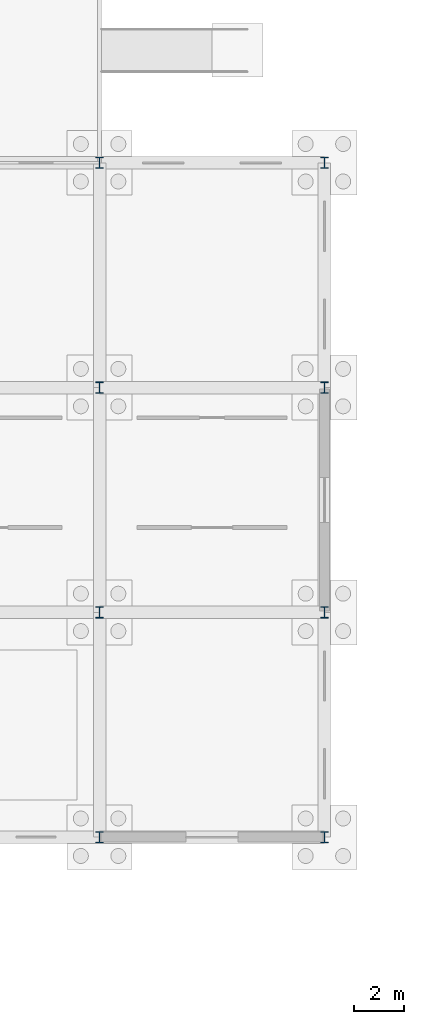
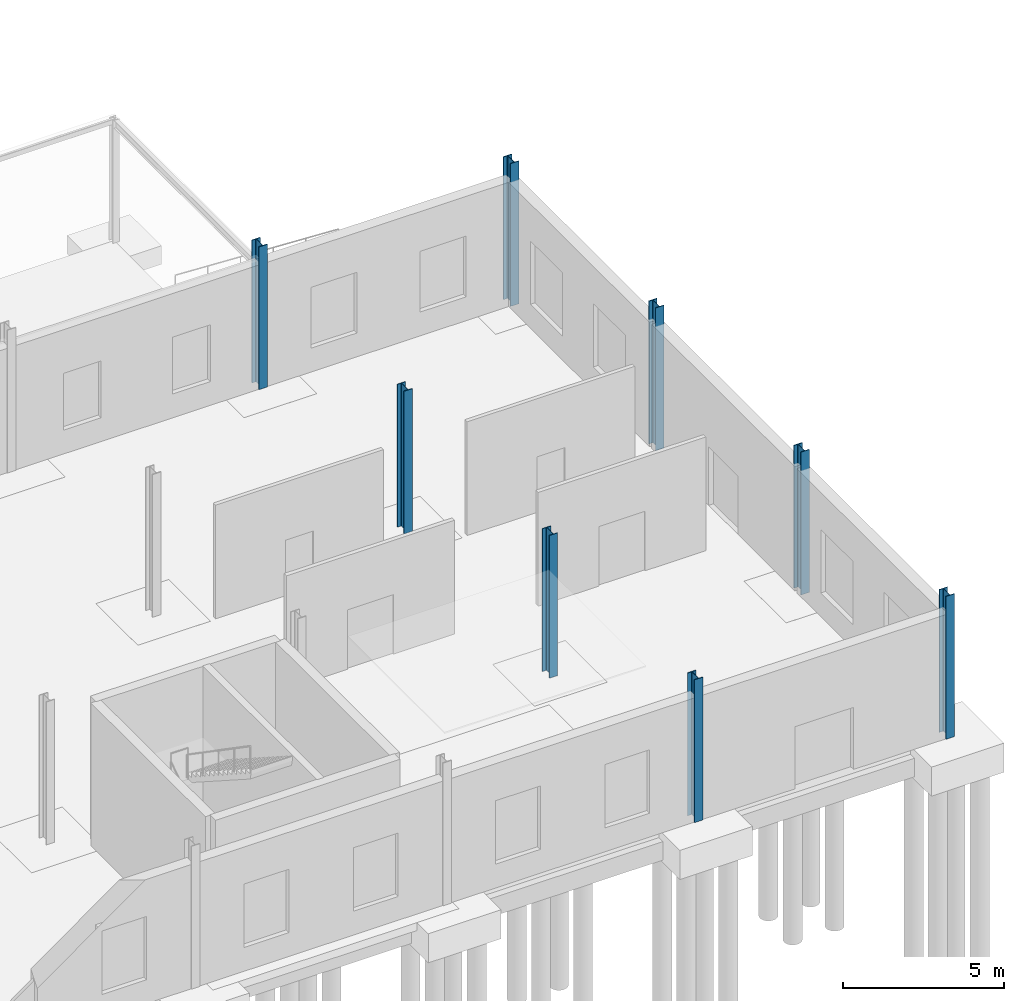
# One storey, part 36 of 118: 8 columns.
"""IFC4 building model written with IfcOpenShell, lengths in metres."""

from ifc_helpers import new_model, si_unit, direction, frame, origin, origin_2d, place, context, subcontext, project, spatial, i_section, extrude, material, material_profile, profile_set, type_object, element, save


model = new_model("IFC4")

# Units and contexts
model_context = context("Model", 3, precision=1e-05, world=origin(), true_north=direction((0.0, 1.0)))
body_context = subcontext(model_context, "Body", "Model", "MODEL_VIEW")
ifc_project = project(units=[si_unit("LENGTHUNIT", "METRE"), si_unit("AREAUNIT", "SQUARE_METRE"), si_unit("VOLUMEUNIT", "CUBIC_METRE"), si_unit("PLANEANGLEUNIT", "RADIAN"), si_unit("MASSUNIT", "GRAM", prefix="KILO")], contexts=[model_context])

# Site, building, storey
site_placement = place(None, origin())
site = spatial("IfcSite", under=ifc_project, at=site_placement, CompositionType="ELEMENT")
building_placement = place(site_placement, origin())
building = spatial("IfcBuilding", under=site, at=building_placement, Name="Kildeholm Park Wholesale Market", CompositionType="ELEMENT")
storey_placement = place(building_placement, origin())
storey = spatial("IfcBuildingStorey", under=building, at=storey_placement, Name="L00", CompositionType="ELEMENT", Elevation=0.0)

# Columns
ifc_material = material(Name="Steel S355", Category="steel")
ifc_material_profile = material_profile(ifc_material, i_section(OverallWidth=0.300048828125, OverallDepth=0.449951171875, WebThickness=0.013916015625, FlangeThickness=0.02587890625, FilletRadius=0.027099609375, at=origin_2d()), Name="HEB 450")
ifc_profile_set = profile_set([ifc_material_profile], Name="Steel S355")
column_type = type_object("IfcColumnType", Name="Column C-S06 HEB 450", PredefinedType="COLUMN", material=ifc_profile_set)
for number, where, z_axis, x_axis, name in (
    (1, (189.0, 0.0, 0.0), (0.0, 0.0, 1.0), (1.0, 0.0, 0.0), "Column V5E-189-000 L00 COL-0855"),
    (2, (189.0, 9.0, 0.0), (0.0, 0.0, 1.0), (1.0, 0.0, 0.0), "Column V5E-189-009 L00 COL-0859"),
    (3, (189.0, 18.0, 0.0), (0.0, 0.0, 1.0), (1.0, 0.0, 0.0), "Column V5E-189-018 L00 COL-0863"),
    (4, (189.0, 27.0, 0.0), (0.0, 0.0, 1.0), (1.0, 0.0, 0.0), "Column V5E-189-027 L00 COL-0867"),
    (5, (198.0, 0.0, 0.0), (0.0, 0.0, 1.0), (1.0, 0.0, 0.0), "Column V5E-198-000 L00 COL-0869"),
    (6, (198.0, 9.0, 0.0), (0.0, 0.0, 1.0), (1.0, 0.0, 0.0), "Column V5E-198-009 L00 COL-0872"),
    (7, (198.0, 18.0, 0.0), (0.0, 0.0, 1.0), (1.0, 0.0, 0.0), "Column V5E-198-018 L00 COL-0875"),
    (8, (198.0, 27.0, 0.0), (0.0, 0.0, 1.0), (1.0, 0.0, 0.0), "Column V5E-198-027 L00 COL-0878"),
):
    element("IfcColumn", number, at=place(storey_placement, frame(where, z_axis=z_axis, x_axis=x_axis)), inside=storey, type_object=column_type, Name=name, PredefinedType="COLUMN", context=body_context, shape_type="SweptSolid", body=[
        extrude(i_section(OverallWidth=0.300048828125, OverallDepth=0.449951171875, WebThickness=0.013916015625, FlangeThickness=0.02587890625, FilletRadius=0.027099609375, at=origin_2d()), origin(), (0.0, 0.0, 1.0), 5.39990234375),
    ])

save(model, "model.ifc")
